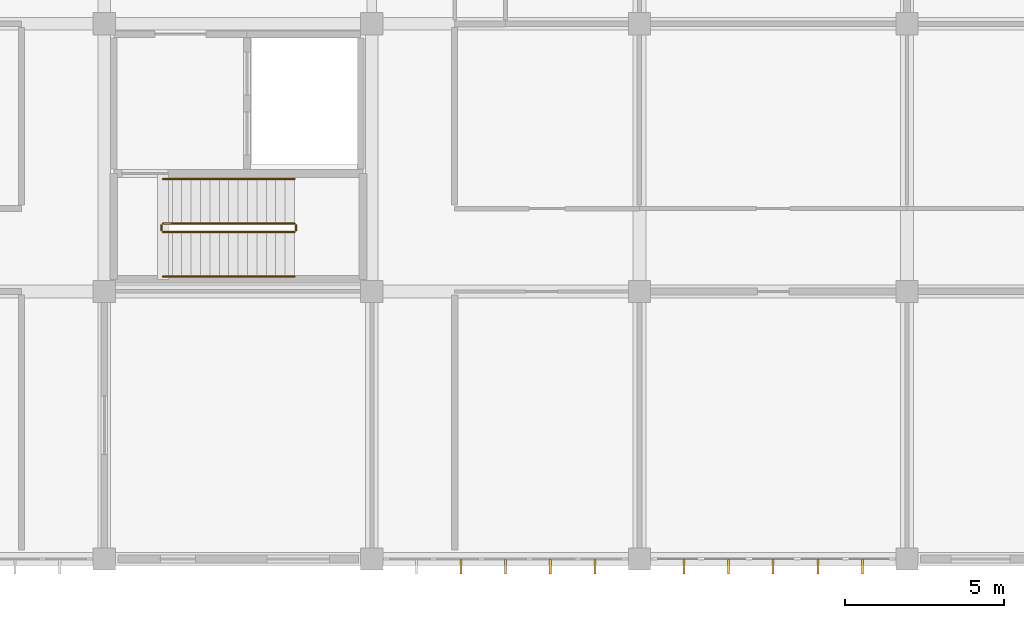
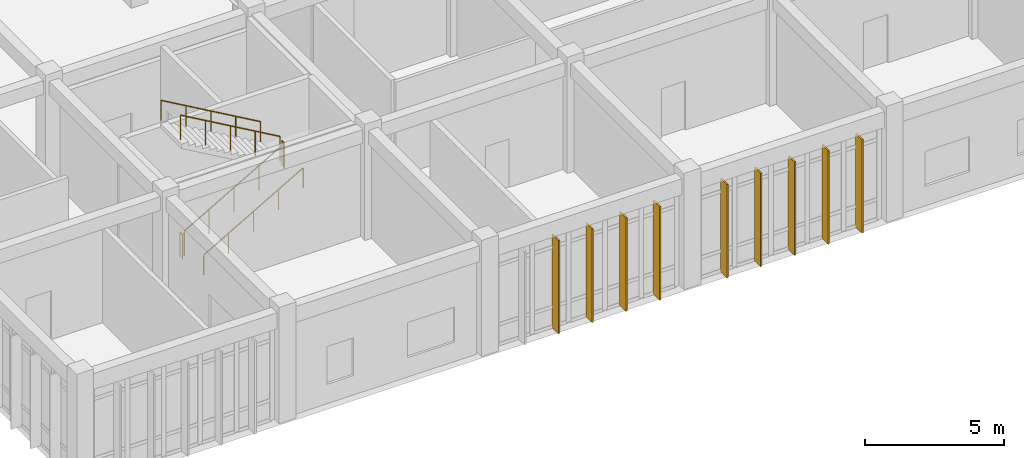
# One storey, part 119 of 134: 9 shading devices, 6 railings.
"""IFC4 building model written with IfcOpenShell, lengths in metres."""

from ifc_helpers import new_model, si_unit, direction, frame, origin, origin_2d, place, context, subcontext, project, spatial, rectangle, circle, extrude, material, material_profile, profile_set, type_object, element, save


model = new_model("IFC4")

# Units and contexts
model_context = context("Model", 3, precision=1e-05, world=origin(), true_north=direction((0.0, 1.0)))
body_context = subcontext(model_context, "Body", "Model", "MODEL_VIEW")
ifc_project = project(units=[si_unit("LENGTHUNIT", "METRE"), si_unit("AREAUNIT", "SQUARE_METRE"), si_unit("VOLUMEUNIT", "CUBIC_METRE"), si_unit("PLANEANGLEUNIT", "RADIAN"), si_unit("MASSUNIT", "GRAM", prefix="KILO")], contexts=[model_context])

# Site, building, storey
site_placement = place(None, origin())
site = spatial("IfcSite", under=ifc_project, at=site_placement, CompositionType="ELEMENT")
building_placement = place(site_placement, origin())
building = spatial("IfcBuilding", under=site, at=building_placement, Name="Bramfleet General Hospital", CompositionType="ELEMENT")
storey_placement = place(building_placement, frame((0.0, 0.0, 9.300048828125)))
storey = spatial("IfcBuildingStorey", under=building, at=storey_placement, Name="L02", CompositionType="ELEMENT", Elevation=9.300048828125)

# Railings
ifc_material_1 = material(Name="Powder-coated steel stair balustrade", Category="steel")
railing_type_1 = type_object("IfcRailingType", Name="RAIL-ST-GUARD", PredefinedType="GUARDRAIL", material=ifc_material_1)
railing_1_placement = place(storey_placement, frame((102.639892578125, 10.27001953125, 0.169921875)))
element("IfcRailing", 1, at=railing_1_placement, inside=storey, type_object=railing_type_1, Name="L02 ST-C3 stair guard 1", PredefinedType="GUARDRAIL", context=body_context, shape_type="SweptSolid", body=[
    extrude(circle(Radius=0.02392578125, at=origin_2d()), frame((0.0, 0.0, 1.076171875), z_axis=(0.866425082981, 0.0, 0.499307095465), x_axis=(0.0, 1.0, 0.0)), (0.0, 0.0, 1.0), 4.766845703125),
    extrude(circle(Radius=0.02099609375, at=origin_2d()), origin(), (0.0, 0.0, 1.0), 1.052001953125),
    extrude(circle(Radius=0.02099609375, at=origin_2d()), frame((1.032470703125, 0.0, 0.594970703125)), (0.0, 0.0, 1.0), 1.052001953125),
    extrude(circle(Radius=0.02099609375, at=origin_2d()), frame((2.06494140625, 0.0, 1.18994140625)), (0.0, 0.0, 1.0), 1.052001953125),
    extrude(circle(Radius=0.02099609375, at=origin_2d()), frame((3.09765625, 0.0, 1.78515625)), (0.0, 0.0, 1.0), 1.052001953125),
    extrude(circle(Radius=0.02099609375, at=origin_2d()), frame((4.130126953125, 0.0, 2.380126953125)), (0.0, 0.0, 1.0), 1.052001953125),
])
railing_2_placement = place(storey_placement, frame((106.820068359375, 10.320068359375, 2.550048828125)))
element("IfcRailing", 2, at=railing_2_placement, inside=storey, type_object=railing_type_1, Name="L02 ST-C3 stair guard 2", PredefinedType="GUARDRAIL", context=body_context, shape_type="SweptSolid", body=[
    extrude(circle(Radius=0.02392578125, at=origin_2d()), frame((0.0, 0.0, 1.076171875), z_axis=(0.0, 1.0, 0.0), x_axis=(-1.0, 0.0, 0.0)), (0.0, 0.0, 1.0), 0.159912109375),
    extrude(circle(Radius=0.02099609375, at=origin_2d()), origin(), (0.0, 0.0, 1.0), 1.052001953125),
    extrude(circle(Radius=0.02099609375, at=origin_2d()), frame((0.0, 0.159912109375, 0.0)), (0.0, 0.0, 1.0), 1.052001953125),
])
railing_3_placement = place(storey_placement, frame((106.77001953125, 10.530029296875, 2.719970703125)))
element("IfcRailing", 3, at=railing_3_placement, inside=storey, type_object=railing_type_1, Name="L02 ST-C3 stair guard 3", PredefinedType="GUARDRAIL", context=body_context, shape_type="SweptSolid", body=[
    extrude(circle(Radius=0.02392578125, at=origin_2d()), frame((0.0, 0.0, 1.076171875), z_axis=(-0.866447239463, 0.0, 0.499268646349), x_axis=(0.0, -1.0, 0.0)), (0.0, 0.0, 1.0), 4.766845703125),
    extrude(circle(Radius=0.02099609375, at=origin_2d()), origin(), (0.0, 0.0, 1.0), 1.052001953125),
    extrude(circle(Radius=0.02099609375, at=origin_2d()), frame((-1.032470703125, 0.0, 0.594970703125)), (0.0, 0.0, 1.0), 1.052001953125),
    extrude(circle(Radius=0.02099609375, at=origin_2d()), frame((-2.06494140625, 0.0, 1.18994140625)), (0.0, 0.0, 1.0), 1.052001953125),
    extrude(circle(Radius=0.02099609375, at=origin_2d()), frame((-3.09765625, 0.0, 1.784912109375)), (0.0, 0.0, 1.0), 1.052001953125),
    extrude(circle(Radius=0.02099609375, at=origin_2d()), frame((-4.130126953125, 0.0, 2.3798828125)), (0.0, 0.0, 1.0), 1.052001953125),
])
railing_4_placement = place(storey_placement, frame((102.590087890625, 10.320068359375, 0.0)))
element("IfcRailing", 4, at=railing_4_placement, inside=storey, type_object=railing_type_1, Name="L02 ST-C3 stair guard 4", PredefinedType="GUARDRAIL", context=body_context, shape_type="SweptSolid", body=[
    extrude(circle(Radius=0.02392578125, at=origin_2d()), frame((0.0, 0.0, 1.076171875), z_axis=(0.0, 1.0, 0.0), x_axis=(-1.0, 0.0, 0.0)), (0.0, 0.0, 1.0), 0.159912109375),
    extrude(circle(Radius=0.02099609375, at=origin_2d()), origin(), (0.0, 0.0, 1.0), 1.052001953125),
    extrude(circle(Radius=0.02099609375, at=origin_2d()), frame((0.0, 0.159912109375, 0.0)), (0.0, 0.0, 1.0), 1.052001953125),
])
ifc_material_2 = material(Name="Stainless steel 1.4301 stair handrail", Category="steel")
railing_type_2 = type_object("IfcRailingType", Name="RAIL-ST-HND", PredefinedType="HANDRAIL", material=ifc_material_2)
railing_5_placement = place(storey_placement, frame((102.639892578125, 8.8701171875, 0.169921875)))
element("IfcRailing", 5, at=railing_5_placement, inside=storey, type_object=railing_type_2, Name="L02 ST-C3 stair handrail 1", PredefinedType="HANDRAIL", context=body_context, shape_type="SweptSolid", body=[
    extrude(circle(Radius=0.02392578125, at=origin_2d()), frame((0.0, 0.0, 0.8759765625), z_axis=(0.866425082981, 0.0, 0.499307095465), x_axis=(0.0, 1.0, 0.0)), (0.0, 0.0, 1.0), 4.766845703125),
    extrude(circle(Radius=0.02099609375, at=origin_2d()), origin(), (0.0, 0.0, 1.0), 0.851806640625),
    extrude(circle(Radius=0.02099609375, at=origin_2d()), frame((1.032470703125, 0.0, 0.594970703125)), (0.0, 0.0, 1.0), 0.851806640625),
    extrude(circle(Radius=0.02099609375, at=origin_2d()), frame((2.06494140625, 0.0, 1.18994140625)), (0.0, 0.0, 1.0), 0.851806640625),
    extrude(circle(Radius=0.02099609375, at=origin_2d()), frame((3.09765625, 0.0, 1.78515625)), (0.0, 0.0, 1.0), 0.851806640625),
    extrude(circle(Radius=0.02099609375, at=origin_2d()), frame((4.130126953125, 0.0, 2.380126953125)), (0.0, 0.0, 1.0), 0.851806640625),
])
railing_6_placement = place(storey_placement, frame((106.77001953125, 11.929931640625, 2.719970703125)))
element("IfcRailing", 6, at=railing_6_placement, inside=storey, type_object=railing_type_2, Name="L02 ST-C3 stair handrail 2", PredefinedType="HANDRAIL", context=body_context, shape_type="SweptSolid", body=[
    extrude(circle(Radius=0.02392578125, at=origin_2d()), frame((0.0, 0.0, 0.8759765625), z_axis=(-0.866447239463, 0.0, 0.499268646349), x_axis=(0.0, -1.0, 0.0)), (0.0, 0.0, 1.0), 4.766845703125),
    extrude(circle(Radius=0.02099609375, at=origin_2d()), origin(), (0.0, 0.0, 1.0), 0.851806640625),
    extrude(circle(Radius=0.02099609375, at=origin_2d()), frame((-1.032470703125, 0.0, 0.594970703125)), (0.0, 0.0, 1.0), 0.851806640625),
    extrude(circle(Radius=0.02099609375, at=origin_2d()), frame((-2.06494140625, 0.0, 1.18994140625)), (0.0, 0.0, 1.0), 0.851806640625),
    extrude(circle(Radius=0.02099609375, at=origin_2d()), frame((-3.09765625, 0.0, 1.784912109375)), (0.0, 0.0, 1.0), 0.851806640625),
    extrude(circle(Radius=0.02099609375, at=origin_2d()), frame((-4.130126953125, 0.0, 2.3798828125)), (0.0, 0.0, 1.0), 0.851806640625),
])

# Shading devices
ifc_material_3 = material(Name="Treated European larch timber", Category="wood")
ifc_material_profile = material_profile(ifc_material_3, rectangle(XDim=0.06494140625, YDim=0.449951171875, at=origin_2d()), Name="LARCH FIN 450x65")
ifc_profile_set = profile_set([ifc_material_profile], Name="Treated European larch timber")
shading_device_type = type_object("IfcShadingDeviceType", Name="SHD-FIN-450", PredefinedType="USERDEFINED", material=ifc_profile_set)
for number, where, z_axis, x_axis, name in (
    (7, (124.60009765625, -0.239990234375, -0.02001953125), (0.0, 0.0, 1.0), (-1.0, 0.0, 0.0), "L02 Larch Timber Shading Fin 479"),
    (8, (123.199951171875, -0.239990234375, -0.02001953125), (0.0, 0.0, 1.0), (-1.0, 0.0, 0.0), "L02 Larch Timber Shading Fin 480"),
    (9, (121.800048828125, -0.239990234375, -0.02001953125), (0.0, 0.0, 1.0), (-1.0, 0.0, 0.0), "L02 Larch Timber Shading Fin 481"),
    (10, (120.39990234375, -0.239990234375, -0.02001953125), (0.0, 0.0, 1.0), (-1.0, 0.0, 0.0), "L02 Larch Timber Shading Fin 482"),
    (11, (119.0, -0.239990234375, -0.02001953125), (0.0, 0.0, 1.0), (-1.0, 0.0, 0.0), "L02 Larch Timber Shading Fin 483"),
    (12, (116.199951171875, -0.239990234375, -0.02001953125), (0.0, 0.0, 1.0), (-1.0, 0.0, 0.0), "L02 Larch Timber Shading Fin 484"),
    (13, (114.800048828125, -0.239990234375, -0.02001953125), (0.0, 0.0, 1.0), (-1.0, 0.0, 0.0), "L02 Larch Timber Shading Fin 485"),
    (14, (113.39990234375, -0.239990234375, -0.02001953125), (0.0, 0.0, 1.0), (-1.0, 0.0, 0.0), "L02 Larch Timber Shading Fin 486"),
    (15, (112.0, -0.239990234375, -0.02001953125), (0.0, 0.0, 1.0), (-1.0, 0.0, 0.0), "L02 Larch Timber Shading Fin 487"),
):
    element("IfcShadingDevice", number, at=place(storey_placement, frame(where, z_axis=z_axis, x_axis=x_axis)), inside=storey, type_object=shading_device_type, Name=name, ObjectType="Fin", PredefinedType="USERDEFINED", context=body_context, shape_type="SweptSolid", body=[
        extrude(rectangle(XDim=0.06494140625, YDim=0.449951171875, at=origin_2d()), origin(), (0.0, 0.0, 1.0), 4.099853515625),
    ])

save(model, "model.ifc")
